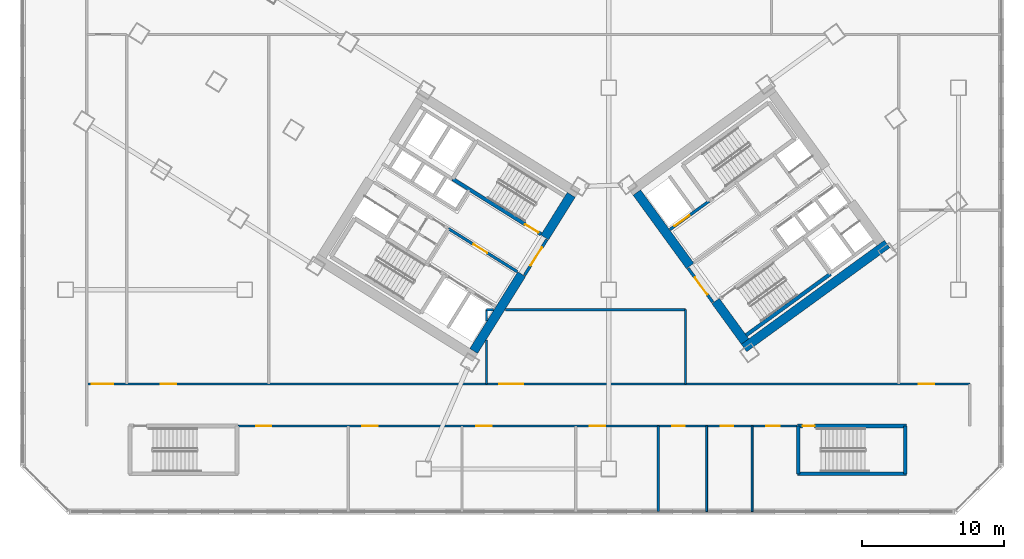
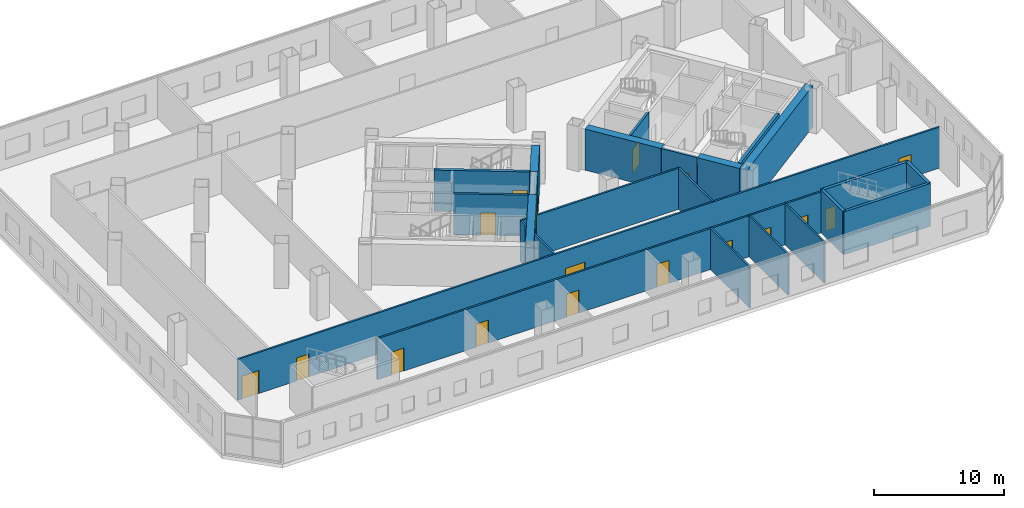
# One storey, part 12 of 22: 25 walls, 17 doors, 17 openings.
"""IFC4 building model written with IfcOpenShell, lengths in metres."""

from ifc_helpers import new_model, si_unit, direction, frame, frame_2d, origin, place, context, subcontext, project, spatial, rectangle, extrude, source, transform, mapped, material, layer, layer_set, type_object, element, fill, save


model = new_model("IFC4")

# Units and contexts
model_context = context("Model", 3, precision=1e-05, world=origin(), true_north=direction((0.0, 1.0)))
body_context = subcontext(model_context, "Body", "Model", "MODEL_VIEW")
ifc_project = project(units=[si_unit("LENGTHUNIT", "METRE"), si_unit("AREAUNIT", "SQUARE_METRE"), si_unit("VOLUMEUNIT", "CUBIC_METRE"), si_unit("PLANEANGLEUNIT", "RADIAN"), si_unit("MASSUNIT", "GRAM", prefix="KILO")], contexts=[model_context])

# Site, building, storey
site_placement = place(None, origin())
site = spatial("IfcSite", under=ifc_project, at=site_placement, CompositionType="ELEMENT")
building_placement = place(site_placement, origin())
building = spatial("IfcBuilding", under=site, at=building_placement, Name="Tlacorven Tower", CompositionType="ELEMENT")
storey_placement = place(building_placement, frame((0.0, 0.0, 14.39990234375)))
storey = spatial("IfcBuildingStorey", under=building, at=storey_placement, Name="L03", CompositionType="ELEMENT", Elevation=14.39990234375)

# Walls
ifc_material_1 = material(Name="Concrete C60/75", Category="concrete")
ifc_layer_1 = layer(ifc_material_1, 0.64990234375)
ifc_layer_set_1 = layer_set([ifc_layer_1], Name="Concrete C60/75")
wall_type_1 = type_object("IfcWallType", Name="WL-COR-650", PredefinedType="SHEAR", material=ifc_layer_set_1)
wall_1_placement = place(storey_placement, frame((40.167724609375, 23.880126953125, 0.0), z_axis=(0.0, 0.0, 1.0), x_axis=(-0.529893103397, -0.8480644427, 0.0)))
element("IfcWall", 1, at=wall_1_placement, inside=storey, type_object=wall_type_1, Name="L03 W core end wall E1.1", PredefinedType="SHEAR", context=body_context, shape_type="SweptSolid", body=[
    extrude(rectangle(XDim=3.525146484375, YDim=0.64990234375, at=frame_2d((1.7626953125, 0.0))), origin(), (0.0, 0.0, 1.0), 3.85009765625),
])
wall_2_placement = place(storey_placement, frame((36.683349609375, 18.30419921875, 0.0), z_axis=(0.0, 0.0, 1.0), x_axis=(-0.529899109053, -0.848060690178, 0.0)))
element("IfcWall", 2, at=wall_2_placement, inside=storey, type_object=wall_type_1, Name="L03 W core end wall E1.2", PredefinedType="SHEAR", context=body_context, shape_type="SweptSolid", body=[
    extrude(rectangle(XDim=6.375244140625, YDim=0.64990234375, at=frame_2d((3.1875, 0.0))), origin(), (0.0, 0.0, 1.0), 3.85009765625),
])
wall_3_placement = place(storey_placement, frame((52.318359375, 13.1103515625, 0.0), z_axis=(0.0, 0.0, 1.0), x_axis=(0.809019445368, 0.587781878776, 0.0)))
element("IfcWall", 3, at=wall_3_placement, inside=storey, type_object=wall_type_1, Name="L03 E core shear wall S1", PredefinedType="SHEAR", context=body_context, shape_type="SweptSolid", body=[
    extrude(rectangle(XDim=12.43994140625, YDim=0.64990234375, at=frame_2d((6.219970703125, 0.0))), origin(), (0.0, 0.0, 1.0), 3.85009765625),
])
wall_4_placement = place(storey_placement, frame((52.390380859375, 13.564208984375, 0.0), z_axis=(0.0, 0.0, 1.0), x_axis=(-0.58779688989, 0.809008539037, 0.0)))
element("IfcWall", 4, at=wall_4_placement, inside=storey, type_object=wall_type_1, Name="L03 E core end wall E1.1", PredefinedType="SHEAR", context=body_context, shape_type="SweptSolid", body=[
    extrude(rectangle(XDim=3.525146484375, YDim=0.64990234375, at=frame_2d((1.7626953125, 0.0))), origin(), (0.0, 0.0, 1.0), 3.85009765625),
])
wall_5_placement = place(storey_placement, frame((48.525634765625, 18.883544921875, 0.0), z_axis=(0.0, 0.0, 1.0), x_axis=(-0.58777996584, 0.809020835181, 0.0)))
element("IfcWall", 5, at=wall_5_placement, inside=storey, type_object=wall_type_1, Name="L03 E core end wall E1.2", PredefinedType="SHEAR", context=body_context, shape_type="SweptSolid", body=[
    extrude(rectangle(XDim=6.375, YDim=0.64990234375, at=frame_2d((3.1875, 0.0))), origin(), (0.0, 0.0, 1.0), 3.85009765625),
])

# Wall, openings, doors
ifc_material_2 = material(Name="Gypsum plasterboard acoustic partition", Category="gypsum")
ifc_layer_2 = layer(ifc_material_2, 0.159912109375)
ifc_layer_set_2 = layer_set([ifc_layer_2], Name="Gypsum plasterboard acoustic partition")
wall_type_2 = type_object("IfcWallType", Name="WL-DEM-160", PredefinedType="PARTITIONING", material=ifc_layer_set_2)
wall_6_placement = place(storey_placement, frame((6.10009765625, 10.580078125, 0.0), z_axis=(0.0, 0.0, 1.0), x_axis=(1.0, 0.0, 0.0)))
wall_6 = element("IfcWall", 6, at=wall_6_placement, inside=storey, type_object=wall_type_2, Name="L03 partition 64", PredefinedType="PARTITIONING", context=body_context, shape_type="SweptSolid", body=[
    extrude(rectangle(XDim=62.099853515625, YDim=0.159912109375, at=frame_2d((31.0498046875, 0.0))), origin(), (0.0, 0.0, 1.0), 3.840087890625),
])
opening_1_placement = place(wall_6_placement, frame((29.0, 0.0, 0.0)))
opening_1 = element("IfcOpeningElement", 7, at=opening_1_placement, cuts=wall_6, Name="Opening D17", PredefinedType="OPENING", context=body_context, shape_type="SweptSolid", body=[
    extrude(rectangle(XDim=1.699951171875, YDim=2.199951171875, at=frame_2d((0.85009765625, 1.10009765625))), frame((0.0, 0.08984375, 0.0), z_axis=(0.0, -1.0, 0.0), x_axis=(1.0, 0.0, 0.0)), (0.0, 0.0, 1.0), 0.179931640625),
])
opening_2_placement = place(wall_6_placement, frame((0.35009765625, 0.0, 0.0)))
opening_2 = element("IfcOpeningElement", 8, at=opening_2_placement, cuts=wall_6, Name="Opening D10", PredefinedType="OPENING", context=body_context, shape_type="SweptSolid", body=[
    extrude(rectangle(XDim=1.5, YDim=2.14990234375, at=frame_2d((0.75, 1.074951171875))), frame((0.0, 0.08984375, 0.0), z_axis=(0.0, -1.0, 0.0), x_axis=(1.0, 0.0, 0.0)), (0.0, 0.0, 1.0), 0.179931640625),
])
opening_3_placement = place(wall_6_placement, frame((5.199951171875, 0.0, 0.0)))
opening_3 = element("IfcOpeningElement", 9, at=opening_3_placement, cuts=wall_6, Name="Opening D15", PredefinedType="OPENING", context=body_context, shape_type="SweptSolid", body=[
    extrude(rectangle(XDim=1.080078125, YDim=2.14990234375, at=frame_2d((0.5400390625, 1.074951171875))), frame((0.0, 0.08984375, 0.0), z_axis=(0.0, -1.0, 0.0), x_axis=(1.0, 0.0, 0.0)), (0.0, 0.0, 1.0), 0.179931640625),
])
opening_4_placement = place(wall_6_placement, frame((58.5, 0.0, 0.0)))
opening_4 = element("IfcOpeningElement", 10, at=opening_4_placement, cuts=wall_6, Name="Opening D15", PredefinedType="OPENING", context=body_context, shape_type="SweptSolid", body=[
    extrude(rectangle(XDim=1.080078125, YDim=2.14990234375, at=frame_2d((0.5400390625, 1.074951171875))), frame((0.0, 0.08984375, 0.0), z_axis=(0.0, -1.0, 0.0), x_axis=(1.0, 0.0, 0.0)), (0.0, 0.0, 1.0), 0.179931640625),
])
ifc_material_3 = material(Name="Fire-rated steel door assembly", Category="steel")
door_type_1 = type_object("IfcDoorType", Name="DR-LOB-FD60-1500", OperationType="DOUBLE_DOOR_SINGLE_SWING", PredefinedType="DOOR", material=ifc_material_3)
shared_shape_1 = source(origin(), body_context, "Body", "SweptSolid", [
    extrude(rectangle(XDim=1.5, YDim=2.14990234375, at=frame_2d((0.75, 1.074951171875))), frame((0.0, 0.02490234375, 0.0), z_axis=(0.0, -1.0, 0.0), x_axis=(1.0, 0.0, 0.0)), (0.0, 0.0, 1.0), 0.050048828125),
])
door_1_placement = place(opening_2_placement, origin())
door_1 = element("IfcDoor", 11, at=door_1_placement, inside=storey, type_object=door_type_1, Name="L03 door 033", OperationType="DOUBLE_DOOR_SINGLE_SWING", OverallHeight=2.14990234375, OverallWidth=1.5, PredefinedType="DOOR", context=body_context, shape_type="MappedRepresentation", body=[
    mapped(shared_shape_1, transform((0.0, 0.0, 0.0), scale=1.0)),
])
fill(opening_2, door_1)
door_type_2 = type_object("IfcDoorType", Name="DR-COM-HALL-1700", OperationType="DOUBLE_DOOR_SINGLE_SWING", PredefinedType="DOOR", material=ifc_material_3)
shared_shape_2 = source(origin(), body_context, "Body", "SweptSolid", [
    extrude(rectangle(XDim=1.699951171875, YDim=2.199951171875, at=frame_2d((0.85009765625, 1.10009765625))), frame((0.0, 0.02490234375, 0.0), z_axis=(0.0, -1.0, 0.0), x_axis=(1.0, 0.0, 0.0)), (0.0, 0.0, 1.0), 0.050048828125),
])
door_2_placement = place(opening_1_placement, origin())
door_2 = element("IfcDoor", 12, at=door_2_placement, inside=storey, type_object=door_type_2, Name="L03 door 023", OperationType="DOUBLE_DOOR_SINGLE_SWING", OverallHeight=2.199951171875, OverallWidth=1.699951171875, PredefinedType="DOOR", context=body_context, shape_type="MappedRepresentation", body=[
    mapped(shared_shape_2, transform((0.0, 0.0, 0.0), scale=1.0)),
])
fill(opening_1, door_2)
door_type_3 = type_object("IfcDoorType", Name="DR-CLN-CONS-1080", OperationType="NOTDEFINED", PredefinedType="DOOR", material=ifc_material_3)
shared_shape_3 = source(origin(), body_context, "Body", "SweptSolid", [
    extrude(rectangle(XDim=1.080078125, YDim=2.14990234375, at=frame_2d((0.5400390625, 1.074951171875))), frame((0.0, 0.02490234375, 0.0), z_axis=(0.0, -1.0, 0.0), x_axis=(1.0, 0.0, 0.0)), (0.0, 0.0, 1.0), 0.050048828125),
])
door_3_placement = place(opening_3_placement, origin())
door_3 = element("IfcDoor", 13, at=door_3_placement, inside=storey, type_object=door_type_3, Name="L03 door 039", OperationType="SINGLE_SWING_LEFT", OverallHeight=2.14990234375, OverallWidth=1.080078125, PredefinedType="DOOR", context=body_context, shape_type="MappedRepresentation", body=[
    mapped(shared_shape_3, transform((0.0, 0.0, 0.0), scale=1.0)),
])
fill(opening_3, door_3)
door_4_placement = place(opening_4_placement, origin())
door_4 = element("IfcDoor", 14, at=door_4_placement, inside=storey, type_object=door_type_3, Name="L03 door 040", OperationType="SINGLE_SWING_RIGHT", OverallHeight=2.14990234375, OverallWidth=1.080078125, PredefinedType="DOOR", context=body_context, shape_type="MappedRepresentation", body=[
    mapped(shared_shape_3, transform((0.0, 0.0, 0.0), scale=1.0)),
])
fill(opening_4, door_4)

wall_7_placement = place(storey_placement, frame((16.739990234375, 7.6201171875, 0.0), z_axis=(0.0, 0.0, 1.0), x_axis=(1.0, 0.0, 0.0)))
wall_7 = element("IfcWall", 15, at=wall_7_placement, inside=storey, type_object=wall_type_2, Name="L03 partition 65", PredefinedType="PARTITIONING", context=body_context, shape_type="SweptSolid", body=[
    extrude(rectangle(XDim=39.320068359375, YDim=0.159912109375, at=frame_2d((19.66015625, 0.0))), origin(), (0.0, 0.0, 1.0), 3.840087890625),
])
opening_5_placement = place(wall_7_placement, frame((1.260009765625, 0.0, 0.0)))
opening_5 = element("IfcOpeningElement", 16, at=opening_5_placement, cuts=wall_7, Name="Opening D15", PredefinedType="OPENING", context=body_context, shape_type="SweptSolid", body=[
    extrude(rectangle(XDim=1.080078125, YDim=2.14990234375, at=frame_2d((0.5400390625, 1.074951171875))), frame((0.0, 0.08984375, 0.0), z_axis=(0.0, -1.0, 0.0), x_axis=(1.0, 0.0, 0.0)), (0.0, 0.0, 1.0), 0.179931640625),
])
opening_6_placement = place(wall_7_placement, frame((8.739990234375, 0.0, 0.0)))
opening_6 = element("IfcOpeningElement", 17, at=opening_6_placement, cuts=wall_7, Name="Opening D15", PredefinedType="OPENING", context=body_context, shape_type="SweptSolid", body=[
    extrude(rectangle(XDim=1.080078125, YDim=2.14990234375, at=frame_2d((0.5400390625, 1.074951171875))), frame((0.0, 0.08984375, 0.0), z_axis=(0.0, -1.0, 0.0), x_axis=(1.0, 0.0, 0.0)), (0.0, 0.0, 1.0), 0.179931640625),
])
opening_7_placement = place(wall_7_placement, frame((16.739990234375, 0.0, 0.0)))
opening_7 = element("IfcOpeningElement", 18, at=opening_7_placement, cuts=wall_7, Name="Opening D15", PredefinedType="OPENING", context=body_context, shape_type="SweptSolid", body=[
    extrude(rectangle(XDim=1.080078125, YDim=2.14990234375, at=frame_2d((0.5400390625, 1.074951171875))), frame((0.0, 0.08984375, 0.0), z_axis=(0.0, -1.0, 0.0), x_axis=(1.0, 0.0, 0.0)), (0.0, 0.0, 1.0), 0.179931640625),
])
opening_8_placement = place(wall_7_placement, frame((24.739990234375, 0.0, 0.0)))
opening_8 = element("IfcOpeningElement", 19, at=opening_8_placement, cuts=wall_7, Name="Opening D15", PredefinedType="OPENING", context=body_context, shape_type="SweptSolid", body=[
    extrude(rectangle(XDim=1.080078125, YDim=2.14990234375, at=frame_2d((0.5400390625, 1.074951171875))), frame((0.0, 0.08984375, 0.0), z_axis=(0.0, -1.0, 0.0), x_axis=(1.0, 0.0, 0.0)), (0.0, 0.0, 1.0), 0.179931640625),
])
opening_9_placement = place(wall_7_placement, frame((30.5400390625, 0.0, 0.0)))
opening_9 = element("IfcOpeningElement", 20, at=opening_9_placement, cuts=wall_7, Name="Opening D13", PredefinedType="OPENING", context=body_context, shape_type="SweptSolid", body=[
    extrude(rectangle(XDim=0.8798828125, YDim=2.080078125, at=frame_2d((0.43994140625, 1.0400390625))), frame((0.0, 0.08984375, 0.0), z_axis=(0.0, -1.0, 0.0), x_axis=(1.0, 0.0, 0.0)), (0.0, 0.0, 1.0), 0.179931640625),
])
opening_10_placement = place(wall_7_placement, frame((33.93994140625, 0.0, 0.0)))
opening_10 = element("IfcOpeningElement", 21, at=opening_10_placement, cuts=wall_7, Name="Opening D13", PredefinedType="OPENING", context=body_context, shape_type="SweptSolid", body=[
    extrude(rectangle(XDim=0.8798828125, YDim=2.080078125, at=frame_2d((0.43994140625, 1.0400390625))), frame((0.0, 0.08984375, 0.0), z_axis=(0.0, -1.0, 0.0), x_axis=(1.0, 0.0, 0.0)), (0.0, 0.0, 1.0), 0.179931640625),
])
opening_11_placement = place(wall_7_placement, frame((37.139892578125, 0.0, 0.0)))
opening_11 = element("IfcOpeningElement", 22, at=opening_11_placement, cuts=wall_7, Name="Opening D14", PredefinedType="OPENING", context=body_context, shape_type="SweptSolid", body=[
    extrude(rectangle(XDim=0.9599609375, YDim=2.080078125, at=frame_2d((0.47998046875, 1.0400390625))), frame((0.0, 0.08984375, 0.0), z_axis=(0.0, -1.0, 0.0), x_axis=(1.0, 0.0, 0.0)), (0.0, 0.0, 1.0), 0.179931640625),
])
ifc_material_4 = material(Name="Powder-coated aluminium and timber door", Category="wood")
door_type_4 = type_object("IfcDoorType", Name="DR-INT-WET-0880", OperationType="NOTDEFINED", PredefinedType="DOOR", material=ifc_material_4)
shared_shape_4 = source(origin(), body_context, "Body", "SweptSolid", [
    extrude(rectangle(XDim=0.8798828125, YDim=2.080078125, at=frame_2d((0.43994140625, 1.0400390625))), frame((0.0, 0.02490234375, 0.0), z_axis=(0.0, -1.0, 0.0), x_axis=(1.0, 0.0, 0.0)), (0.0, 0.0, 1.0), 0.050048828125),
])
door_5_placement = place(opening_9_placement, frame((0.8798828125, 0.0, 0.0), z_axis=(0.0, 0.0, 1.0), x_axis=(-1.0, 0.0, 0.0)))
door_5 = element("IfcDoor", 23, at=door_5_placement, inside=storey, type_object=door_type_4, Name="L03 door 030", OperationType="SINGLE_SWING_LEFT", OverallHeight=2.080078125, OverallWidth=0.8798828125, PredefinedType="DOOR", context=body_context, shape_type="MappedRepresentation", body=[
    mapped(shared_shape_4, transform((0.0, 0.0, 0.0), scale=1.0)),
])
fill(opening_9, door_5)
door_6_placement = place(opening_10_placement, frame((0.8798828125, 0.0, 0.0), z_axis=(0.0, 0.0, 1.0), x_axis=(-1.0, 0.0, 0.0)))
door_6 = element("IfcDoor", 24, at=door_6_placement, inside=storey, type_object=door_type_4, Name="L03 door 031", OperationType="SINGLE_SWING_RIGHT", OverallHeight=2.080078125, OverallWidth=0.8798828125, PredefinedType="DOOR", context=body_context, shape_type="MappedRepresentation", body=[
    mapped(shared_shape_4, transform((0.0, 0.0, 0.0), scale=1.0)),
])
fill(opening_10, door_6)
door_type_5 = type_object("IfcDoorType", Name="DR-INT-AWC-0960", OperationType="NOTDEFINED", PredefinedType="DOOR", material=ifc_material_4)
shared_shape_5 = source(origin(), body_context, "Body", "SweptSolid", [
    extrude(rectangle(XDim=0.9599609375, YDim=2.080078125, at=frame_2d((0.47998046875, 1.0400390625))), frame((0.0, 0.02490234375, 0.0), z_axis=(0.0, -1.0, 0.0), x_axis=(1.0, 0.0, 0.0)), (0.0, 0.0, 1.0), 0.050048828125),
])
door_7_placement = place(opening_11_placement, frame((0.9599609375, 0.0, 0.0), z_axis=(0.0, 0.0, 1.0), x_axis=(-1.0, 0.0, 0.0)))
door_7 = element("IfcDoor", 25, at=door_7_placement, inside=storey, type_object=door_type_5, Name="L03 door 032", OperationType="SINGLE_SWING_LEFT", OverallHeight=2.080078125, OverallWidth=0.9599609375, PredefinedType="DOOR", context=body_context, shape_type="MappedRepresentation", body=[
    mapped(shared_shape_5, transform((0.0, 0.0, 0.0), scale=1.0)),
])
fill(opening_11, door_7)
door_8_placement = place(opening_5_placement, frame((1.080078125, 0.0, 0.0), z_axis=(0.0, 0.0, 1.0), x_axis=(-1.0, 0.0, 0.0)))
door_8 = element("IfcDoor", 26, at=door_8_placement, inside=storey, type_object=door_type_3, Name="L03 door 026", OperationType="SINGLE_SWING_LEFT", OverallHeight=2.14990234375, OverallWidth=1.080078125, PredefinedType="DOOR", context=body_context, shape_type="MappedRepresentation", body=[
    mapped(shared_shape_3, transform((0.0, 0.0, 0.0), scale=1.0)),
])
fill(opening_5, door_8)
door_9_placement = place(opening_6_placement, frame((1.080078125, 0.0, 0.0), z_axis=(0.0, 0.0, 1.0), x_axis=(-1.0, 0.0, 0.0)))
door_9 = element("IfcDoor", 27, at=door_9_placement, inside=storey, type_object=door_type_3, Name="L03 door 027", OperationType="SINGLE_SWING_RIGHT", OverallHeight=2.14990234375, OverallWidth=1.080078125, PredefinedType="DOOR", context=body_context, shape_type="MappedRepresentation", body=[
    mapped(shared_shape_3, transform((0.0, 0.0, 0.0), scale=1.0)),
])
fill(opening_6, door_9)
door_10_placement = place(opening_7_placement, frame((1.080078125, 0.0, 0.0), z_axis=(0.0, 0.0, 1.0), x_axis=(-1.0, 0.0, 0.0)))
door_10 = element("IfcDoor", 28, at=door_10_placement, inside=storey, type_object=door_type_3, Name="L03 door 028", OperationType="SINGLE_SWING_LEFT", OverallHeight=2.14990234375, OverallWidth=1.080078125, PredefinedType="DOOR", context=body_context, shape_type="MappedRepresentation", body=[
    mapped(shared_shape_3, transform((0.0, 0.0, 0.0), scale=1.0)),
])
fill(opening_7, door_10)
door_11_placement = place(opening_8_placement, frame((1.080078125, 0.0, 0.0), z_axis=(0.0, 0.0, 1.0), x_axis=(-1.0, 0.0, 0.0)))
door_11 = element("IfcDoor", 29, at=door_11_placement, inside=storey, type_object=door_type_3, Name="L03 door 029", OperationType="SINGLE_SWING_RIGHT", OverallHeight=2.14990234375, OverallWidth=1.080078125, PredefinedType="DOOR", context=body_context, shape_type="MappedRepresentation", body=[
    mapped(shared_shape_3, transform((0.0, 0.0, 0.0), scale=1.0)),
])
fill(opening_8, door_11)

# Walls
wall_8_placement = place(storey_placement, frame((34.199951171875, 10.580078125, 0.0), z_axis=(0.0, 0.0, 1.0), x_axis=(0.0, 1.0, 0.0)))
element("IfcWall", 30, at=wall_8_placement, inside=storey, type_object=wall_type_2, Name="L03 partition 66", PredefinedType="PARTITIONING", context=body_context, shape_type="SweptSolid", body=[
    extrude(rectangle(XDim=3.08544921875, YDim=0.159912109375, at=frame_2d((1.542724609375, 0.0))), origin(), (0.0, 0.0, 1.0), 3.840087890625),
])
wall_9_placement = place(storey_placement, frame((34.199951171875, 14.993896484375, 0.0), z_axis=(0.0, 0.0, 1.0), x_axis=(0.0, 1.0, 0.0)))
element("IfcWall", 31, at=wall_9_placement, inside=storey, type_object=wall_type_2, Name="L03 partition 66", PredefinedType="PARTITIONING", context=body_context, shape_type="SweptSolid", body=[
    extrude(rectangle(XDim=0.80615234375, YDim=0.159912109375, at=frame_2d((0.403076171875, 0.0))), origin(), (0.0, 0.0, 1.0), 3.840087890625),
])
wall_10_placement = place(storey_placement, frame((48.199951171875, 10.580078125, 0.0), z_axis=(0.0, 0.0, 1.0), x_axis=(0.0, 1.0, 0.0)))
element("IfcWall", 32, at=wall_10_placement, inside=storey, type_object=wall_type_2, Name="L03 partition 67", PredefinedType="PARTITIONING", context=body_context, shape_type="SweptSolid", body=[
    extrude(rectangle(XDim=5.219970703125, YDim=0.159912109375, at=frame_2d((2.60986328125, 0.0))), origin(), (0.0, 0.0, 1.0), 3.840087890625),
])
wall_11_placement = place(storey_placement, frame((34.199951171875, 15.800048828125, 0.0), z_axis=(0.0, 0.0, 1.0), x_axis=(1.0, 0.0, 0.0)))
element("IfcWall", 33, at=wall_11_placement, inside=storey, type_object=wall_type_2, Name="L03 partition 68", PredefinedType="PARTITIONING", context=body_context, shape_type="SweptSolid", body=[
    extrude(rectangle(XDim=0.503662109375, YDim=0.159912109375, at=frame_2d((0.251953125, 0.0))), origin(), (0.0, 0.0, 1.0), 3.840087890625),
])
wall_12_placement = place(storey_placement, frame((35.53369140625, 15.800048828125, 0.0), z_axis=(0.0, 0.0, 1.0), x_axis=(1.0, 0.0, 0.0)))
element("IfcWall", 34, at=wall_12_placement, inside=storey, type_object=wall_type_2, Name="L03 partition 68", PredefinedType="PARTITIONING", context=body_context, shape_type="SweptSolid", body=[
    extrude(rectangle(XDim=12.666259765625, YDim=0.159912109375, at=frame_2d((6.3330078125, 0.0))), origin(), (0.0, 0.0, 1.0), 3.840087890625),
])
wall_13_placement = place(storey_placement, frame((46.2900390625, 1.60009765625, 0.0), z_axis=(0.0, 0.0, 1.0), x_axis=(0.0, 1.0, 0.0)))
element("IfcWall", 35, at=wall_13_placement, inside=storey, type_object=wall_type_2, Name="L03 partition 72", PredefinedType="PARTITIONING", context=body_context, shape_type="SweptSolid", body=[
    extrude(rectangle(XDim=6.02001953125, YDim=0.159912109375, at=frame_2d((3.010009765625, 0.0))), origin(), (0.0, 0.0, 1.0), 3.840087890625),
])
ifc_material_5 = material(Name="Moisture-resistant gypsum plumbing wall", Category="gypsum")
ifc_layer_3 = layer(ifc_material_5, 0.139892578125)
ifc_layer_set_3 = layer_set([ifc_layer_3], Name="Moisture-resistant gypsum plumbing wall")
wall_type_3 = type_object("IfcWallType", Name="WL-PLM-140", PredefinedType="PLUMBINGWALL", material=ifc_layer_set_3)
for number, where, z_axis, x_axis, name in (
    (36, (49.68994140625, 1.60009765625, 0.0), (0.0, 0.0, 1.0), (0.0, 1.0, 0.0), "L03 partition 73"),
    (37, (52.889892578125, 1.60009765625, 0.0), (0.0, 0.0, 1.0), (0.0, 1.0, 0.0), "L03 partition 74"),
):
    element("IfcWall", number, at=place(storey_placement, frame(where, z_axis=z_axis, x_axis=x_axis)), inside=storey, type_object=wall_type_3, Name=name, PredefinedType="PLUMBINGWALL", context=body_context, shape_type="SweptSolid", body=[
        extrude(rectangle(XDim=6.02001953125, YDim=0.139892578125, at=frame_2d((3.010009765625, 0.0))), origin(), (0.0, 0.0, 1.0), 3.840087890625),
    ])

# Wall, opening, door
ifc_material_6 = material(Name="Concrete C40/50", Category="concrete")
ifc_layer_4 = layer(ifc_material_6, 0.199951171875)
ifc_layer_set_4 = layer_set([ifc_layer_4], Name="Concrete C40/50")
wall_type_4 = type_object("IfcWallType", Name="WL-SHF-200", PredefinedType="STANDARD", material=ifc_layer_set_4)
wall_14_placement = place(storey_placement, frame((36.374267578125, 18.4736328125, 0.0), z_axis=(0.0, 0.0, 1.0), x_axis=(-0.848051071577, 0.529914502535, 0.0)))
wall_14 = element("IfcWall", 38, at=wall_14_placement, inside=storey, type_object=wall_type_4, Name="L03 Core W Smoke Lobby Wall", PredefinedType="STANDARD", context=body_context, shape_type="SweptSolid", body=[
    extrude(rectangle(XDim=5.718017578125, YDim=0.199951171875, at=frame_2d((2.85888671875, 0.0))), origin(), (0.0, 0.0, 1.0), 3.840087890625),
])
opening_12_placement = place(wall_14_placement, frame((2.498046875, 0.0, 0.0)))
opening_12 = element("IfcOpeningElement", 39, at=opening_12_placement, cuts=wall_14, Name="Opening D09", PredefinedType="OPENING", context=body_context, shape_type="SweptSolid", body=[
    extrude(rectangle(XDim=1.14990234375, YDim=2.10009765625, at=frame_2d((0.574951171875, 1.050048828125))), frame((0.0, 0.10986328125, 0.0), z_axis=(0.0, -1.0, 0.0), x_axis=(1.0, 0.0, 0.0)), (0.0, 0.0, 1.0), 0.219970703125),
])
door_type_6 = type_object("IfcDoorType", Name="DR-FFL-FD60-1150", OperationType="NOTDEFINED", PredefinedType="DOOR", material=ifc_material_3)
shared_shape_6 = source(origin(), body_context, "Body", "SweptSolid", [
    extrude(rectangle(XDim=1.14990234375, YDim=2.10009765625, at=frame_2d((0.574951171875, 1.050048828125))), frame((0.0, 0.02490234375, 0.0), z_axis=(0.0, -1.0, 0.0), x_axis=(1.0, 0.0, 0.0)), (0.0, 0.0, 1.0), 0.050048828125),
])
door_12_placement = place(opening_12_placement, origin())
door_12 = element("IfcDoor", 40, at=door_12_placement, inside=storey, type_object=door_type_6, Name="L03 Firefighting Lobby W Fire Door", OperationType="SINGLE_SWING_LEFT", OverallHeight=2.10009765625, OverallWidth=1.14990234375, PredefinedType="DOOR", context=body_context, shape_type="MappedRepresentation", body=[
    mapped(shared_shape_6, transform((0.0, 0.0, 0.0), scale=1.0)),
])
fill(opening_12, door_12)

wall_15_placement = place(storey_placement, frame((47.10595703125, 21.4365234375, 0.0), z_axis=(0.0, 0.0, 1.0), x_axis=(0.809012514015, 0.58779141893, 0.0)))
wall_15 = element("IfcWall", 41, at=wall_15_placement, inside=storey, type_object=wall_type_4, Name="L03 Core E Firefighting Lift Shaft Front Wall", PredefinedType="STANDARD", context=body_context, shape_type="SweptSolid", body=[
    extrude(rectangle(XDim=3.39794921875, YDim=0.199951171875, at=frame_2d((1.698974609375, 0.0))), origin(), (0.0, 0.0, 1.0), 3.840087890625),
])
opening_13_placement = place(wall_15_placement, frame((0.407958984375, 0.0, 0.0)))
opening_13 = element("IfcOpeningElement", 42, at=opening_13_placement, cuts=wall_15, Name="Opening LD03", PredefinedType="OPENING", context=body_context, shape_type="SweptSolid", body=[
    extrude(rectangle(XDim=1.300048828125, YDim=2.199951171875, at=frame_2d((0.64990234375, 1.10009765625))), frame((0.0, 0.10986328125, 0.0), z_axis=(0.0, -1.0, 0.0), x_axis=(1.0, 0.0, 0.0)), (0.0, 0.0, 1.0), 0.219970703125),
])
door_type_7 = type_object("IfcDoorType", Name="DR-LFT-SLID-1300", OperationType="DOUBLE_DOOR_SLIDING", PredefinedType="DOOR", material=ifc_material_3)
shared_shape_7 = source(origin(), body_context, "Body", "SweptSolid", [
    extrude(rectangle(XDim=1.300048828125, YDim=2.199951171875, at=frame_2d((0.64990234375, 1.10009765625))), frame((0.0, 0.02490234375, 0.0), z_axis=(0.0, -1.0, 0.0), x_axis=(1.0, 0.0, 0.0)), (0.0, 0.0, 1.0), 0.050048828125),
])
door_13_placement = place(opening_13_placement, origin())
door_13 = element("IfcDoor", 43, at=door_13_placement, inside=storey, type_object=door_type_7, Name="L03 Lift FFL-E1 Sliding Landing Door", OperationType="DOUBLE_DOOR_SLIDING", OverallHeight=2.199951171875, OverallWidth=1.300048828125, PredefinedType="DOOR", context=body_context, shape_type="MappedRepresentation", body=[
    mapped(shared_shape_7, transform((0.0, 0.0, 0.0), scale=1.0)),
])
fill(opening_13, door_13)

wall_16_placement = place(storey_placement, frame((38.451416015625, 20.737060546875, 0.0), z_axis=(0.0, 0.0, 1.0), x_axis=(-0.529924799939, -0.848044637038, 0.0)))
wall_16 = element("IfcWall", 44, at=wall_16_placement, inside=storey, type_object=wall_type_4, Name="L03 partition 62", PredefinedType="STANDARD", context=body_context, shape_type="SweptSolid", body=[
    extrude(rectangle(XDim=2.9599609375, YDim=0.199951171875, at=frame_2d((1.47998046875, 0.0))), origin(), (0.0, 0.0, 1.0), 3.840087890625),
])
opening_14_placement = place(wall_16_placement, frame((0.64990234375, 0.0, 0.0)))
opening_14 = element("IfcOpeningElement", 45, at=opening_14_placement, cuts=wall_16, Name="Opening D10", PredefinedType="OPENING", context=body_context, shape_type="SweptSolid", body=[
    extrude(rectangle(XDim=1.5, YDim=2.14990234375, at=frame_2d((0.75, 1.074951171875))), frame((0.0, 0.10986328125, 0.0), z_axis=(0.0, -1.0, 0.0), x_axis=(1.0, 0.0, 0.0)), (0.0, 0.0, 1.0), 0.219970703125),
])
door_14_placement = place(opening_14_placement, frame((1.5, 0.0, 0.0), z_axis=(0.0, 0.0, 1.0), x_axis=(-1.0, 0.0, 0.0)))
door_14 = element("IfcDoor", 46, at=door_14_placement, inside=storey, type_object=door_type_1, Name="L03 door 024", OperationType="DOUBLE_DOOR_SINGLE_SWING", OverallHeight=2.14990234375, OverallWidth=1.5, PredefinedType="DOOR", context=body_context, shape_type="MappedRepresentation", body=[
    mapped(shared_shape_1, transform((0.0, 0.0, 0.0), scale=1.0)),
])
fill(opening_14, door_14)

wall_17_placement = place(storey_placement, frame((50.119140625, 16.3330078125, 0.0), z_axis=(0.0, 0.0, 1.0), x_axis=(-0.587749856981, 0.809042709391, 0.0)))
wall_17 = element("IfcWall", 47, at=wall_17_placement, inside=storey, type_object=wall_type_4, Name="L03 partition 63", PredefinedType="STANDARD", context=body_context, shape_type="SweptSolid", body=[
    extrude(rectangle(XDim=2.9599609375, YDim=0.199951171875, at=frame_2d((1.47998046875, 0.0))), origin(), (0.0, 0.0, 1.0), 3.840087890625),
])
opening_15_placement = place(wall_17_placement, frame((0.64990234375, 0.0, 0.0)))
opening_15 = element("IfcOpeningElement", 48, at=opening_15_placement, cuts=wall_17, Name="Opening D10", PredefinedType="OPENING", context=body_context, shape_type="SweptSolid", body=[
    extrude(rectangle(XDim=1.5, YDim=2.14990234375, at=frame_2d((0.75, 1.074951171875))), frame((0.0, 0.10986328125, 0.0), z_axis=(0.0, -1.0, 0.0), x_axis=(1.0, 0.0, 0.0)), (0.0, 0.0, 1.0), 0.219970703125),
])
door_15_placement = place(opening_15_placement, frame((1.5, 0.0, 0.0), z_axis=(0.0, 0.0, 1.0), x_axis=(-1.0, 0.0, 0.0)))
door_15 = element("IfcDoor", 49, at=door_15_placement, inside=storey, type_object=door_type_1, Name="L03 door 025", OperationType="DOUBLE_DOOR_SINGLE_SWING", OverallHeight=2.14990234375, OverallWidth=1.5, PredefinedType="DOOR", context=body_context, shape_type="MappedRepresentation", body=[
    mapped(shared_shape_1, transform((0.0, 0.0, 0.0), scale=1.0)),
])
fill(opening_15, door_15)

ifc_material_7 = material(Name="Concrete C50/60", Category="concrete")
ifc_layer_5 = layer(ifc_material_7, 0.260009765625)
ifc_layer_set_5 = layer_set([ifc_layer_5], Name="Concrete C50/60")
wall_type_5 = type_object("IfcWallType", Name="WL-STW-260", PredefinedType="SHEAR", material=ifc_layer_set_5)
wall_18_placement = place(storey_placement, frame((38.04638671875, 21.10791015625, 0.0), z_axis=(0.0, 0.0, 1.0), x_axis=(-0.848054434086, 0.529909121291, 0.0)))
wall_18 = element("IfcWall", 50, at=wall_18_placement, inside=storey, type_object=wall_type_5, Name="L03 Stair W2 Lobby Shear Wall", PredefinedType="SHEAR", context=body_context, shape_type="SweptSolid", body=[
    extrude(rectangle(XDim=7.330078125, YDim=0.260009765625, at=frame_2d((3.6650390625, 0.0))), origin(), (0.0, 0.0, 1.0), 3.85009765625),
])
opening_16_placement = place(wall_18_placement, frame((0.219970703125, 0.0, 0.0)))
opening_16 = element("IfcOpeningElement", 51, at=opening_16_placement, cuts=wall_18, Name="Opening D07", PredefinedType="OPENING", context=body_context, shape_type="SweptSolid", body=[
    extrude(rectangle(XDim=1.10009765625, YDim=2.10009765625, at=frame_2d((0.550048828125, 1.050048828125))), frame((0.0, 0.14013671875, 0.0), z_axis=(0.0, -1.0, 0.0), x_axis=(1.0, 0.0, 0.0)), (0.0, 0.0, 1.0), 0.280029296875),
])
door_type_8 = type_object("IfcDoorType", Name="DR-STR-FD90-1100", OperationType="NOTDEFINED", PredefinedType="DOOR", material=ifc_material_3)
shared_shape_8 = source(origin(), body_context, "Body", "SweptSolid", [
    extrude(rectangle(XDim=1.10009765625, YDim=2.10009765625, at=frame_2d((0.550048828125, 1.050048828125))), frame((0.0, 0.02490234375, 0.0), z_axis=(0.0, -1.0, 0.0), x_axis=(1.0, 0.0, 0.0)), (0.0, 0.0, 1.0), 0.050048828125),
])
door_16_placement = place(opening_16_placement, origin())
door_16 = element("IfcDoor", 52, at=door_16_placement, inside=storey, type_object=door_type_8, Name="L03 Exit Stair W2 Fire Door", OperationType="SINGLE_SWING_RIGHT", OverallHeight=2.10009765625, OverallWidth=1.10009765625, PredefinedType="DOOR", context=body_context, shape_type="MappedRepresentation", body=[
    mapped(shared_shape_8, transform((0.0, 0.0, 0.0), scale=1.0)),
])
fill(opening_16, door_16)

# Wall
wall_19_placement = place(storey_placement, frame((52.47216796875, 14.01318359375, 0.0), z_axis=(0.0, 0.0, 1.0), x_axis=(0.809028366311, 0.587769599847, 0.0)))
element("IfcWall", 53, at=wall_19_placement, inside=storey, type_object=wall_type_5, Name="L03 Stair E2 Far Shear Wall", PredefinedType="SHEAR", context=body_context, shape_type="SweptSolid", body=[
    extrude(rectangle(XDim=7.330078125, YDim=0.260009765625, at=frame_2d((3.6650390625, 0.0))), origin(), (0.0, 0.0, 1.0), 3.85009765625),
])

# Wall, opening, door
wall_20_placement = place(storey_placement, frame((56.070068359375, 7.6201171875, 0.0), z_axis=(0.0, 0.0, 1.0), x_axis=(1.0, 0.0, 0.0)))
wall_20 = element("IfcWall", 54, at=wall_20_placement, inside=storey, type_object=wall_type_5, Name="L03 Stair P2 North Wall", PredefinedType="SHEAR", context=body_context, shape_type="SweptSolid", body=[
    extrude(rectangle(XDim=7.659912109375, YDim=0.260009765625, at=frame_2d((3.830078125, 0.0))), origin(), (0.0, 0.0, 1.0), 4.0),
])
opening_17_placement = place(wall_20_placement, frame((0.360107421875, 0.0, 0.0)))
opening_17 = element("IfcOpeningElement", 55, at=opening_17_placement, cuts=wall_20, Name="Opening D19", PredefinedType="OPENING", context=body_context, shape_type="SweptSolid", body=[
    extrude(rectangle(XDim=0.860107421875, YDim=2.050048828125, at=frame_2d((0.43017578125, 1.02490234375))), frame((0.0, 0.14013671875, 0.0), z_axis=(0.0, -1.0, 0.0), x_axis=(1.0, 0.0, 0.0)), (0.0, 0.0, 1.0), 0.280029296875),
])
door_type_9 = type_object("IfcDoorType", Name="DR-RSR-FD60-0860", OperationType="NOTDEFINED", PredefinedType="DOOR", material=ifc_material_3)
shared_shape_9 = source(origin(), body_context, "Body", "SweptSolid", [
    extrude(rectangle(XDim=0.860107421875, YDim=2.050048828125, at=frame_2d((0.43017578125, 1.02490234375))), frame((0.0, 0.02490234375, 0.0), z_axis=(0.0, -1.0, 0.0), x_axis=(1.0, 0.0, 0.0)), (0.0, 0.0, 1.0), 0.050048828125),
])
door_17_placement = place(opening_17_placement, origin())
door_17 = element("IfcDoor", 56, at=door_17_placement, inside=storey, type_object=door_type_9, Name="L03 door 022", OperationType="SINGLE_SWING_LEFT", OverallHeight=2.050048828125, OverallWidth=0.860107421875, PredefinedType="DOOR", context=body_context, shape_type="MappedRepresentation", body=[
    mapped(shared_shape_9, transform((0.0, 0.0, 0.0), scale=1.0)),
])
fill(opening_17, door_17)

# Walls
wall_21_placement = place(storey_placement, frame((56.070068359375, 4.260009765625, 0.0), z_axis=(0.0, 0.0, 1.0), x_axis=(1.0, 0.0, 0.0)))
element("IfcWall", 57, at=wall_21_placement, inside=storey, type_object=wall_type_5, Name="L03 Stair P2 South Wall", PredefinedType="SHEAR", context=body_context, shape_type="SweptSolid", body=[
    extrude(rectangle(XDim=7.659912109375, YDim=0.260009765625, at=frame_2d((3.830078125, 0.0))), origin(), (0.0, 0.0, 1.0), 4.0),
])
for number, where, z_axis, x_axis, name in (
    (58, (56.139892578125, 4.260009765625, 0.0), (0.0, 0.0, 1.0), (0.0, 1.0, 0.0), "L03 Stair P2 West Wall"),
    (59, (63.659912109375, 4.260009765625, 0.0), (0.0, 0.0, 1.0), (0.0, 1.0, 0.0), "L03 Stair P2 East Wall"),
):
    element("IfcWall", number, at=place(storey_placement, frame(where, z_axis=z_axis, x_axis=x_axis)), inside=storey, type_object=wall_type_5, Name=name, PredefinedType="SHEAR", context=body_context, shape_type="SweptSolid", body=[
        extrude(rectangle(XDim=3.360107421875, YDim=0.260009765625, at=frame_2d((1.68017578125, 0.0))), origin(), (0.0, 0.0, 1.0), 4.0),
    ])

save(model, "model.ifc")
